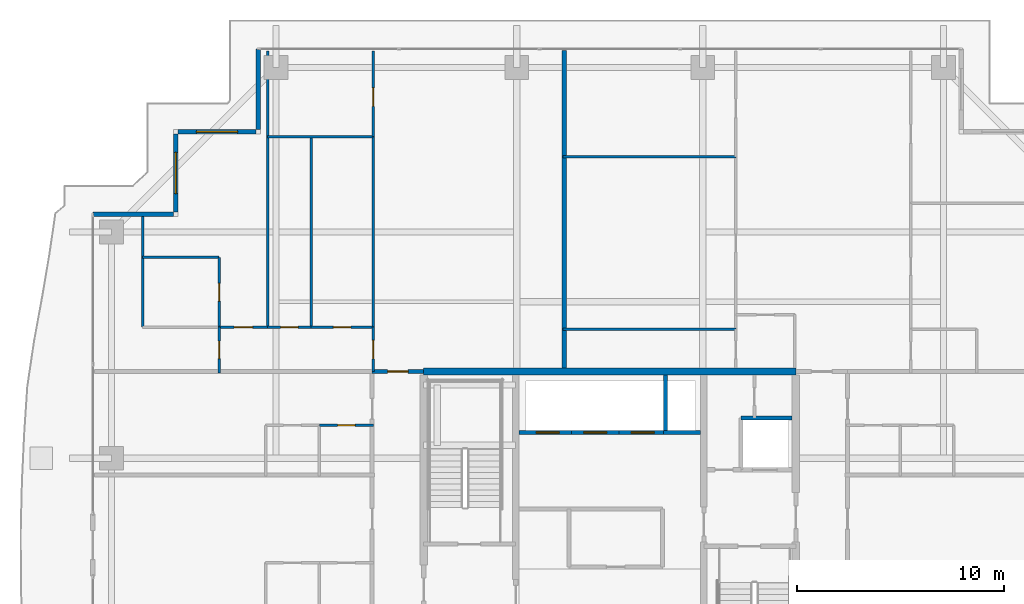
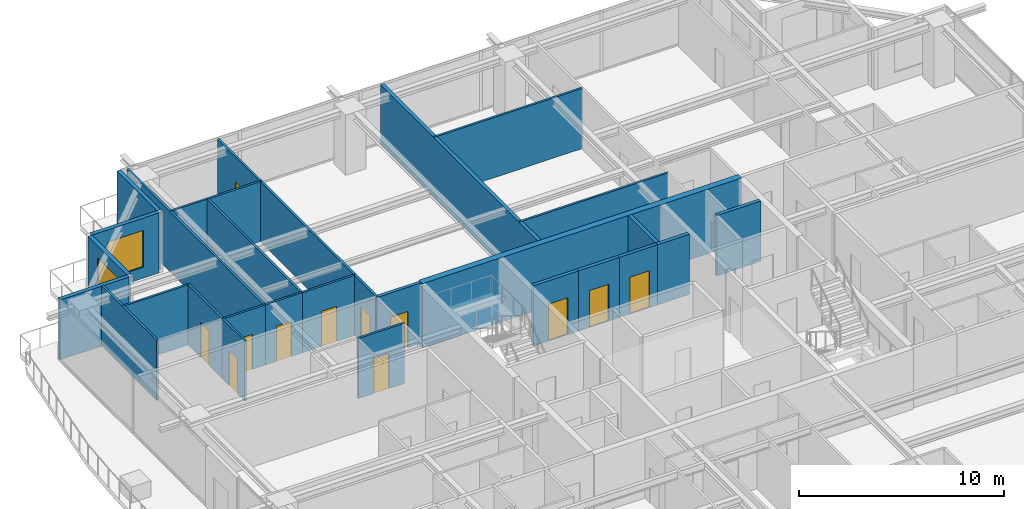
# One storey, part 28 of 36: 29 walls, 12 doors, 2 windows, 14 openings.
"""IFC4 building model written with IfcOpenShell, lengths in metres."""

from ifc_helpers import new_model, si_unit, direction, frame, frame_2d, origin, place, context, subcontext, project, spatial, rectangle, extrude, source, transform, mapped, material, layer, layer_set, type_object, element, fill, save


model = new_model("IFC4")

# Units and contexts
model_context = context("Model", 3, precision=1e-05, world=origin(), true_north=direction((0.0, 1.0)))
body_context = subcontext(model_context, "Body", "Model", "MODEL_VIEW")
ifc_project = project(units=[si_unit("LENGTHUNIT", "METRE"), si_unit("AREAUNIT", "SQUARE_METRE"), si_unit("VOLUMEUNIT", "CUBIC_METRE"), si_unit("PLANEANGLEUNIT", "RADIAN"), si_unit("MASSUNIT", "GRAM", prefix="KILO")], contexts=[model_context])

# Site, building, storey
site_placement = place(None, origin())
site = spatial("IfcSite", under=ifc_project, at=site_placement, CompositionType="ELEMENT")
building_placement = place(site_placement, origin())
building = spatial("IfcBuilding", under=site, at=building_placement, Name="Serunith Strait Residences", CompositionType="ELEMENT")
storey_placement = place(building_placement, frame((0.0, 0.0, 256.64990234375)))
storey = spatial("IfcBuildingStorey", under=building, at=storey_placement, Name="L64", CompositionType="ELEMENT", Elevation=256.64990234375)

# Wall
ifc_material_1 = material(Name="Pale-Champagne Aluminium Insulated Panel", Category="aluminium")
ifc_layer_1 = layer(ifc_material_1, 0.219970703125, Name="Pale-Champagne Aluminium Insulated Panel")
ifc_layer_set_1 = layer_set([ifc_layer_1], Name="Pale-Champagne Aluminium Insulated Panel")
wall_type_1 = type_object("IfcWallType", Name="EW-ALUM-220", PredefinedType="ELEMENTEDWALL", material=ifc_layer_set_1)
wall_1_placement = place(storey_placement, frame((15.39990234375, 49.199951171875, 0.0), z_axis=(0.0, 0.0, 1.0), x_axis=(0.0, -1.0, 0.0)))
element("IfcWall", 1, at=wall_1_placement, inside=storey, type_object=wall_type_1, Name="L64 Girih Serrated Corner Wall 12", PredefinedType="ELEMENTEDWALL", context=body_context, shape_type="SweptSolid", body=[
    extrude(rectangle(XDim=3.889892578125, YDim=0.219970703125, at=frame_2d((1.94482421875, 0.0))), origin(), (0.0, 0.0, 1.0), 3.5751953125),
])

# Wall, opening, window
wall_2_placement = place(storey_placement, frame((15.2900390625, 45.199951171875, 0.0), z_axis=(0.0, 0.0, 1.0), x_axis=(-1.0, 0.0, 0.0)))
wall_2 = element("IfcWall", 2, at=wall_2_placement, inside=storey, type_object=wall_type_1, Name="L64 Girih Serrated Corner Wall 13", PredefinedType="ELEMENTEDWALL", context=body_context, shape_type="SweptSolid", body=[
    extrude(rectangle(XDim=3.780029296875, YDim=0.219970703125, at=frame_2d((1.89013671875, 0.0))), origin(), (0.0, 0.0, 1.0), 3.5751953125),
])
opening_1_placement = place(wall_2_placement, frame((0.889892578125, 0.0, 0.64990234375)))
opening_1 = element("IfcOpeningElement", 3, at=opening_1_placement, cuts=wall_2, Name="Opening W-04", PredefinedType="OPENING", context=body_context, shape_type="SweptSolid", body=[
    extrude(rectangle(XDim=2.0, YDim=2.199951171875, at=frame_2d((1.0, 1.10009765625))), frame((0.0, 0.1201171875, 0.0), z_axis=(0.0, -1.0, 0.0), x_axis=(1.0, 0.0, 0.0)), (0.0, 0.0, 1.0), 0.239990234375),
])
ifc_material_2 = material(Name="Ceramic-Fritted Operable Aluminium Window Glass", Category="aluminium")
window_type = type_object("IfcWindowType", Name="WIN-C4", PartitioningType="TRIPLE_PANEL_VERTICAL", PredefinedType="WINDOW", material=ifc_material_2)
shared_shape_1 = source(origin(), body_context, "Body", "SweptSolid", [
    extrude(rectangle(XDim=2.0, YDim=2.199951171875, at=frame_2d((1.0, 1.10009765625))), frame((0.0, 0.030029296875, 0.0), z_axis=(0.0, -1.0, 0.0), x_axis=(1.0, 0.0, 0.0)), (0.0, 0.0, 1.0), 0.06005859375),
])
window_1_placement = place(opening_1_placement, origin())
window_1 = element("IfcWindow", 4, at=window_1_placement, inside=storey, type_object=window_type, Name="L64 Corner Operable Fritted Window 13", OverallHeight=2.199951171875, OverallWidth=2.0, PartitioningType="SINGLE_PANEL", PredefinedType="WINDOW", context=body_context, shape_type="MappedRepresentation", body=[
    mapped(shared_shape_1, transform((0.0, 0.0, 0.0), scale=1.0)),
])
fill(opening_1, window_1)

wall_3_placement = place(storey_placement, frame((11.39990234375, 45.090087890625, 0.0), z_axis=(0.0, 0.0, 1.0), x_axis=(0.0, -1.0, 0.0)))
wall_3 = element("IfcWall", 5, at=wall_3_placement, inside=storey, type_object=wall_type_1, Name="L64 Girih Serrated Corner Wall 14", PredefinedType="ELEMENTEDWALL", context=body_context, shape_type="SweptSolid", body=[
    extrude(rectangle(XDim=3.780029296875, YDim=0.219970703125, at=frame_2d((1.89013671875, 0.0))), origin(), (0.0, 0.0, 1.0), 3.5751953125),
])
opening_2_placement = place(wall_3_placement, frame((0.889892578125, 0.0, 0.64990234375)))
opening_2 = element("IfcOpeningElement", 6, at=opening_2_placement, cuts=wall_3, Name="Opening W-04", PredefinedType="OPENING", context=body_context, shape_type="SweptSolid", body=[
    extrude(rectangle(XDim=2.0, YDim=2.199951171875, at=frame_2d((1.0, 1.10009765625))), frame((0.0, 0.1201171875, 0.0), z_axis=(0.0, -1.0, 0.0), x_axis=(1.0, 0.0, 0.0)), (0.0, 0.0, 1.0), 0.239990234375),
])
window_2_placement = place(opening_2_placement, origin())
window_2 = element("IfcWindow", 7, at=window_2_placement, inside=storey, type_object=window_type, Name="L64 Corner Operable Fritted Window 14", OverallHeight=2.199951171875, OverallWidth=2.0, PartitioningType="SINGLE_PANEL", PredefinedType="WINDOW", context=body_context, shape_type="MappedRepresentation", body=[
    mapped(shared_shape_1, transform((0.0, 0.0, 0.0), scale=1.0)),
])
fill(opening_2, window_2)

# Wall
wall_4_placement = place(storey_placement, frame((11.2900390625, 41.199951171875, 0.0), z_axis=(0.0, 0.0, 1.0), x_axis=(-1.0, 0.0, 0.0)))
element("IfcWall", 8, at=wall_4_placement, inside=storey, type_object=wall_type_1, Name="L64 Girih Serrated Corner Wall 15", PredefinedType="ELEMENTEDWALL", context=body_context, shape_type="SweptSolid", body=[
    extrude(rectangle(XDim=3.89013671875, YDim=0.219970703125, at=frame_2d((1.945068359375, 0.0))), origin(), (0.0, 0.0, 1.0), 3.5751953125),
])

# Wall, opening, door
ifc_material_3 = material(Name="Fire-rated acoustic gypsum partition")
ifc_layer_2 = layer(ifc_material_3, 0.179931640625, Name="Fire-rated acoustic gypsum partition")
ifc_layer_set_2 = layer_set([ifc_layer_2], Name="Fire-rated acoustic gypsum partition")
wall_type_2 = type_object("IfcWallType", Name="IW-CORR-180", PredefinedType="PARTITIONING", material=ifc_layer_set_2)
wall_5_placement = place(storey_placement, frame((20.902099609375, 33.60009765625, 0.0), z_axis=(0.0, 0.0, 1.0), x_axis=(1.0, 0.0, 0.0)))
wall_5 = element("IfcWall", 9, at=wall_5_placement, inside=storey, type_object=wall_type_2, Name="L64 Partition Wall 030", PredefinedType="PARTITIONING", context=body_context, shape_type="SweptSolid", body=[
    extrude(rectangle(XDim=2.495849609375, YDim=0.179931640625, at=frame_2d((1.248046875, 0.0))), origin(), (0.0, 0.0, 1.0), 3.590087890625),
])
opening_3_placement = place(wall_5_placement, frame((0.748046875, 0.0, 0.0)))
opening_3 = element("IfcOpeningElement", 10, at=opening_3_placement, cuts=wall_5, Name="Opening D-APT1000", PredefinedType="OPENING", context=body_context, shape_type="SweptSolid", body=[
    extrude(rectangle(XDim=1.0, YDim=2.14990234375, at=frame_2d((0.5, 1.074951171875))), frame((0.0, 0.10009765625, 0.0), z_axis=(0.0, -1.0, 0.0), x_axis=(1.0, 0.0, 0.0)), (0.0, 0.0, 1.0), 0.199951171875),
])
ifc_material_4 = material(Name="Solid timber engineered fire door", Category="wood")
door_type_1 = type_object("IfcDoorType", Name="ID-APT-1000", OperationType="NOTDEFINED", PredefinedType="DOOR", material=ifc_material_4)
shared_shape_2 = source(origin(), body_context, "Body", "SweptSolid", [
    extrude(rectangle(XDim=1.0, YDim=2.14990234375, at=frame_2d((0.5, 1.074951171875))), frame((0.0, 0.02490234375, 0.0), z_axis=(0.0, -1.0, 0.0), x_axis=(1.0, 0.0, 0.0)), (0.0, 0.0, 1.0), 0.050048828125),
])
door_1_placement = place(opening_3_placement, origin())
door_1 = element("IfcDoor", 11, at=door_1_placement, inside=storey, type_object=door_type_1, Name="L64 Unit 02 Entrance Door", OperationType="SINGLE_SWING_LEFT", OverallHeight=2.14990234375, OverallWidth=1.0, PredefinedType="DOOR", context=body_context, shape_type="MappedRepresentation", body=[
    mapped(shared_shape_2, transform((0.0, 0.0, 0.0), scale=1.0)),
])
fill(opening_3, door_1)

ifc_material_5 = material(Name="Lightweight steel-stud gypsum partition", Category="steel")
ifc_layer_3 = layer(ifc_material_5, 0.1201171875, Name="Lightweight steel-stud gypsum partition")
ifc_layer_set_3 = layer_set([ifc_layer_3], Name="Lightweight steel-stud gypsum partition")
wall_type_3 = type_object("IfcWallType", Name="IW-PART-120", PredefinedType="PARTITIONING", material=ifc_layer_set_3)
wall_6_placement = place(storey_placement, frame((20.949951171875, 35.75, 0.0), z_axis=(0.0, 0.0, 1.0), x_axis=(0.0, -1.0, 0.0)))
wall_6 = element("IfcWall", 12, at=wall_6_placement, inside=storey, type_object=wall_type_3, Name="L64 Partition Wall 058", PredefinedType="PARTITIONING", context=body_context, shape_type="SweptSolid", body=[
    extrude(rectangle(XDim=2.14794921875, YDim=0.1201171875, at=frame_2d((1.073974609375, 0.0))), origin(), (0.0, 0.0, 1.0), 3.590087890625),
])
opening_4_placement = place(wall_6_placement, frame((0.64208984375, 0.0, 0.0)))
opening_4 = element("IfcOpeningElement", 13, at=opening_4_placement, cuts=wall_6, Name="Opening D-RM900", PredefinedType="OPENING", context=body_context, shape_type="SweptSolid", body=[
    extrude(rectangle(XDim=0.89990234375, YDim=2.10009765625, at=frame_2d((0.449951171875, 1.050048828125))), frame((0.0, 0.070068359375, 0.0), z_axis=(0.0, -1.0, 0.0), x_axis=(1.0, 0.0, 0.0)), (0.0, 0.0, 1.0), 0.14013671875),
])
ifc_material_6 = material(Name="Engineered timber flush bedroom door", Category="wood")
door_type_2 = type_object("IfcDoorType", Name="ID-ROOM-900", OperationType="NOTDEFINED", PredefinedType="DOOR", material=ifc_material_6)
shared_shape_3 = source(origin(), body_context, "Body", "SweptSolid", [
    extrude(rectangle(XDim=0.89990234375, YDim=2.10009765625, at=frame_2d((0.449951171875, 1.050048828125))), frame((0.0, 0.02490234375, 0.0), z_axis=(0.0, -1.0, 0.0), x_axis=(1.0, 0.0, 0.0)), (0.0, 0.0, 1.0), 0.050048828125),
])
door_2_placement = place(opening_4_placement, origin())
door_2 = element("IfcDoor", 14, at=door_2_placement, inside=storey, type_object=door_type_2, Name="L64 Hall W 6402 Door", OperationType="SINGLE_SWING_RIGHT", OverallHeight=2.10009765625, OverallWidth=0.89990234375, PredefinedType="DOOR", context=body_context, shape_type="MappedRepresentation", body=[
    mapped(shared_shape_3, transform((0.0, 0.0, 0.0), scale=1.0)),
])
fill(opening_4, door_2)

wall_7_placement = place(storey_placement, frame((20.949951171875, 49.10498046875, 0.0), z_axis=(0.0, 0.0, 1.0), x_axis=(0.0, -1.0, 0.0)))
wall_7 = element("IfcWall", 15, at=wall_7_placement, inside=storey, type_object=wall_type_3, Name="L64 Partition Wall 059", PredefinedType="PARTITIONING", context=body_context, shape_type="SweptSolid", body=[
    extrude(rectangle(XDim=4.140869140625, YDim=0.1201171875, at=frame_2d((2.0703125, 0.0))), origin(), (0.0, 0.0, 1.0), 3.590087890625),
])
opening_5_placement = place(wall_7_placement, frame((1.782958984375, 0.0, 0.0)))
opening_5 = element("IfcOpeningElement", 16, at=opening_5_placement, cuts=wall_7, Name="Opening D-RM900", PredefinedType="OPENING", context=body_context, shape_type="SweptSolid", body=[
    extrude(rectangle(XDim=0.89990234375, YDim=2.10009765625, at=frame_2d((0.449951171875, 1.050048828125))), frame((0.0, 0.070068359375, 0.0), z_axis=(0.0, -1.0, 0.0), x_axis=(1.0, 0.0, 0.0)), (0.0, 0.0, 1.0), 0.14013671875),
])
door_3_placement = place(opening_5_placement, origin())
door_3 = element("IfcDoor", 17, at=door_3_placement, inside=storey, type_object=door_type_2, Name="L64 Study 1 6402 Door", OperationType="SINGLE_SWING_LEFT", OverallHeight=2.10009765625, OverallWidth=0.89990234375, PredefinedType="DOOR", context=body_context, shape_type="MappedRepresentation", body=[
    mapped(shared_shape_3, transform((0.0, 0.0, 0.0), scale=1.0)),
])
fill(opening_5, door_3)

# Walls
wall_8_placement = place(storey_placement, frame((20.949951171875, 44.9619140625, 0.0), z_axis=(0.0, 0.0, 1.0), x_axis=(0.0, -1.0, 0.0)))
element("IfcWall", 18, at=wall_8_placement, inside=storey, type_object=wall_type_3, Name="L64 Partition Wall 060", PredefinedType="PARTITIONING", context=body_context, shape_type="SweptSolid", body=[
    extrude(rectangle(XDim=9.2099609375, YDim=0.1201171875, at=frame_2d((4.60498046875, 0.0))), origin(), (0.0, 0.0, 1.0), 3.590087890625),
])
wall_9_placement = place(storey_placement, frame((15.85009765625, 44.964111328125, 0.0), z_axis=(0.0, 0.0, 1.0), x_axis=(1.0, 0.0, 0.0)))
element("IfcWall", 19, at=wall_9_placement, inside=storey, type_object=wall_type_3, Name="L64 Partition Wall 061", PredefinedType="PARTITIONING", context=body_context, shape_type="SweptSolid", body=[
    extrude(rectangle(XDim=5.099853515625, YDim=0.1201171875, at=frame_2d((2.5498046875, 0.0))), origin(), (0.0, 0.0, 1.0), 3.590087890625),
])
wall_10_placement = place(storey_placement, frame((15.85009765625, 49.10498046875, 0.0), z_axis=(0.0, 0.0, 1.0), x_axis=(0.0, -1.0, 0.0)))
element("IfcWall", 20, at=wall_10_placement, inside=storey, type_object=wall_type_3, Name="L64 Partition Wall 062", PredefinedType="PARTITIONING", context=body_context, shape_type="SweptSolid", body=[
    extrude(rectangle(XDim=13.35498046875, YDim=0.1201171875, at=frame_2d((6.677490234375, 0.0))), origin(), (0.0, 0.0, 1.0), 3.590087890625),
])
wall_11_placement = place(storey_placement, frame((17.949951171875, 44.964111328125, 0.0), z_axis=(0.0, 0.0, 1.0), x_axis=(0.0, -1.0, 0.0)))
element("IfcWall", 21, at=wall_11_placement, inside=storey, type_object=wall_type_3, Name="L64 Partition Wall 063", PredefinedType="PARTITIONING", context=body_context, shape_type="SweptSolid", body=[
    extrude(rectangle(XDim=9.214111328125, YDim=0.1201171875, at=frame_2d((4.60693359375, 0.0))), origin(), (0.0, 0.0, 1.0), 3.590087890625),
])

# Wall, opening, door
wall_12_placement = place(storey_placement, frame((15.85009765625, 35.75, 0.0), z_axis=(0.0, 0.0, 1.0), x_axis=(1.0, 0.0, 0.0)))
wall_12 = element("IfcWall", 22, at=wall_12_placement, inside=storey, type_object=wall_type_3, Name="L64 Partition Wall 064", PredefinedType="PARTITIONING", context=body_context, shape_type="SweptSolid", body=[
    extrude(rectangle(XDim=2.099853515625, YDim=0.1201171875, at=frame_2d((1.0498046875, 0.0))), origin(), (0.0, 0.0, 1.0), 3.590087890625),
])
opening_6_placement = place(wall_12_placement, frame((0.625, 0.0, 0.0)))
opening_6 = element("IfcOpeningElement", 23, at=opening_6_placement, cuts=wall_12, Name="Opening D-BTH850", PredefinedType="OPENING", context=body_context, shape_type="SweptSolid", body=[
    extrude(rectangle(XDim=0.85009765625, YDim=2.10009765625, at=frame_2d((0.425048828125, 1.050048828125))), frame((0.0, 0.070068359375, 0.0), z_axis=(0.0, -1.0, 0.0), x_axis=(1.0, 0.0, 0.0)), (0.0, 0.0, 1.0), 0.14013671875),
])
ifc_material_7 = material(Name="Moisture-resistant timber bathroom door", Category="wood")
door_type_3 = type_object("IfcDoorType", Name="ID-BATH-850", OperationType="NOTDEFINED", PredefinedType="DOOR", material=ifc_material_7)
shared_shape_4 = source(origin(), body_context, "Body", "SweptSolid", [
    extrude(rectangle(XDim=0.85009765625, YDim=2.10009765625, at=frame_2d((0.425048828125, 1.050048828125))), frame((0.0, 0.02490234375, 0.0), z_axis=(0.0, -1.0, 0.0), x_axis=(1.0, 0.0, 0.0)), (0.0, 0.0, 1.0), 0.050048828125),
])
door_4_placement = place(opening_6_placement, origin())
door_4 = element("IfcDoor", 24, at=door_4_placement, inside=storey, type_object=door_type_3, Name="L64 Bathroom 6402 Door", OperationType="SINGLE_SWING_RIGHT", OverallHeight=2.10009765625, OverallWidth=0.85009765625, PredefinedType="DOOR", context=body_context, shape_type="MappedRepresentation", body=[
    mapped(shared_shape_4, transform((0.0, 0.0, 0.0), scale=1.0)),
])
fill(opening_6, door_4)

wall_13_placement = place(storey_placement, frame((17.951904296875, 35.75, 0.0), z_axis=(0.0, 0.0, 1.0), x_axis=(1.0, 0.0, 0.0)))
wall_13 = element("IfcWall", 25, at=wall_13_placement, inside=storey, type_object=wall_type_3, Name="L64 Partition Wall 065", PredefinedType="PARTITIONING", context=body_context, shape_type="SweptSolid", body=[
    extrude(rectangle(XDim=2.998046875, YDim=0.1201171875, at=frame_2d((1.4990234375, 0.0))), origin(), (0.0, 0.0, 1.0), 3.590087890625),
])
opening_7_placement = place(wall_13_placement, frame((1.073974609375, 0.0, 0.0)))
opening_7 = element("IfcOpeningElement", 26, at=opening_7_placement, cuts=wall_13, Name="Opening D-RM850", PredefinedType="OPENING", context=body_context, shape_type="SweptSolid", body=[
    extrude(rectangle(XDim=0.85009765625, YDim=2.10009765625, at=frame_2d((0.425048828125, 1.050048828125))), frame((0.0, 0.070068359375, 0.0), z_axis=(0.0, -1.0, 0.0), x_axis=(1.0, 0.0, 0.0)), (0.0, 0.0, 1.0), 0.14013671875),
])
ifc_material_8 = material(Name="Engineered timber flush study and kitchen door", Category="wood")
door_type_4 = type_object("IfcDoorType", Name="ID-ROOM-850", OperationType="NOTDEFINED", PredefinedType="DOOR", material=ifc_material_8)
door_5_placement = place(opening_7_placement, origin())
door_5 = element("IfcDoor", 27, at=door_5_placement, inside=storey, type_object=door_type_4, Name="L64 Kitchen 6402 Door", OperationType="SINGLE_SWING_LEFT", OverallHeight=2.10009765625, OverallWidth=0.85009765625, PredefinedType="DOOR", context=body_context, shape_type="MappedRepresentation", body=[
    mapped(shared_shape_4, transform((0.0, 0.0, 0.0), scale=1.0)),
])
fill(opening_7, door_5)

wall_14_placement = place(storey_placement, frame((13.5, 35.75, 0.0), z_axis=(0.0, 0.0, 1.0), x_axis=(1.0, 0.0, 0.0)))
wall_14 = element("IfcWall", 28, at=wall_14_placement, inside=storey, type_object=wall_type_3, Name="L64 Partition Wall 066", PredefinedType="PARTITIONING", context=body_context, shape_type="SweptSolid", body=[
    extrude(rectangle(XDim=2.347900390625, YDim=0.1201171875, at=frame_2d((1.173828125, 0.0))), origin(), (0.0, 0.0, 1.0), 3.590087890625),
])
opening_8_placement = place(wall_14_placement, frame((0.72412109375, 0.0, 0.0)))
opening_8 = element("IfcOpeningElement", 29, at=opening_8_placement, cuts=wall_14, Name="Opening D-RM900", PredefinedType="OPENING", context=body_context, shape_type="SweptSolid", body=[
    extrude(rectangle(XDim=0.89990234375, YDim=2.10009765625, at=frame_2d((0.449951171875, 1.050048828125))), frame((0.0, 0.070068359375, 0.0), z_axis=(0.0, -1.0, 0.0), x_axis=(1.0, 0.0, 0.0)), (0.0, 0.0, 1.0), 0.14013671875),
])
door_6_placement = place(opening_8_placement, origin())
door_6 = element("IfcDoor", 30, at=door_6_placement, inside=storey, type_object=door_type_2, Name="L64 Master Bedroom W 6402 Door", OperationType="SINGLE_SWING_RIGHT", OverallHeight=2.10009765625, OverallWidth=0.89990234375, PredefinedType="DOOR", context=body_context, shape_type="MappedRepresentation", body=[
    mapped(shared_shape_3, transform((0.0, 0.0, 0.0), scale=1.0)),
])
fill(opening_8, door_6)

# Walls
wall_15_placement = place(storey_placement, frame((9.800048828125, 39.115966796875, 0.0), z_axis=(0.0, 0.0, 1.0), x_axis=(1.0, 0.0, 0.0)))
element("IfcWall", 31, at=wall_15_placement, inside=storey, type_object=wall_type_3, Name="L64 Partition Wall 067", PredefinedType="PARTITIONING", context=body_context, shape_type="SweptSolid", body=[
    extrude(rectangle(XDim=3.699951171875, YDim=0.1201171875, at=frame_2d((1.85009765625, 0.0))), origin(), (0.0, 0.0, 1.0), 3.590087890625),
])
wall_16_placement = place(storey_placement, frame((9.800048828125, 41.10498046875, 0.0), z_axis=(0.0, 0.0, 1.0), x_axis=(0.0, -1.0, 0.0)))
element("IfcWall", 32, at=wall_16_placement, inside=storey, type_object=wall_type_3, Name="L64 Partition Wall 068", PredefinedType="PARTITIONING", context=body_context, shape_type="SweptSolid", body=[
    extrude(rectangle(XDim=5.35498046875, YDim=0.1201171875, at=frame_2d((2.677490234375, 0.0))), origin(), (0.0, 0.0, 1.0), 3.590087890625),
])

# Wall, opening, door
wall_17_placement = place(storey_placement, frame((13.5, 39.115966796875, 0.0), z_axis=(0.0, 0.0, 1.0), x_axis=(0.0, -1.0, 0.0)))
wall_17 = element("IfcWall", 33, at=wall_17_placement, inside=storey, type_object=wall_type_3, Name="L64 Partition Wall 070", PredefinedType="PARTITIONING", context=body_context, shape_type="SweptSolid", body=[
    extrude(rectangle(XDim=3.365966796875, YDim=0.1201171875, at=frame_2d((1.68310546875, 0.0))), origin(), (0.0, 0.0, 1.0), 3.590087890625),
])
opening_9_placement = place(wall_17_placement, frame((1.258056640625, 0.0, 0.0)))
opening_9 = element("IfcOpeningElement", 34, at=opening_9_placement, cuts=wall_17, Name="Opening D-BTH850", PredefinedType="OPENING", context=body_context, shape_type="SweptSolid", body=[
    extrude(rectangle(XDim=0.85009765625, YDim=2.10009765625, at=frame_2d((0.425048828125, 1.050048828125))), frame((0.0, 0.070068359375, 0.0), z_axis=(0.0, -1.0, 0.0), x_axis=(1.0, 0.0, 0.0)), (0.0, 0.0, 1.0), 0.14013671875),
])
door_7_placement = place(opening_9_placement, origin())
door_7 = element("IfcDoor", 35, at=door_7_placement, inside=storey, type_object=door_type_3, Name="L64 En-suite Bathroom W 6402 Door", OperationType="SINGLE_SWING_LEFT", OverallHeight=2.10009765625, OverallWidth=0.85009765625, PredefinedType="DOOR", context=body_context, shape_type="MappedRepresentation", body=[
    mapped(shared_shape_4, transform((0.0, 0.0, 0.0), scale=1.0)),
])
fill(opening_9, door_7)

wall_18_placement = place(storey_placement, frame((13.5, 35.748046875, 0.0), z_axis=(0.0, 0.0, 1.0), x_axis=(0.0, -1.0, 0.0)))
wall_18 = element("IfcWall", 36, at=wall_18_placement, inside=storey, type_object=wall_type_3, Name="L64 Partition Wall 071", PredefinedType="PARTITIONING", context=body_context, shape_type="SweptSolid", body=[
    extrude(rectangle(XDim=2.2080078125, YDim=0.1201171875, at=frame_2d((1.10400390625, 0.0))), origin(), (0.0, 0.0, 1.0), 3.590087890625),
])
opening_10_placement = place(wall_18_placement, frame((0.678955078125, 0.0, 0.0)))
opening_10 = element("IfcOpeningElement", 37, at=opening_10_placement, cuts=wall_18, Name="Opening D-RM850", PredefinedType="OPENING", context=body_context, shape_type="SweptSolid", body=[
    extrude(rectangle(XDim=0.85009765625, YDim=2.10009765625, at=frame_2d((0.425048828125, 1.050048828125))), frame((0.0, 0.070068359375, 0.0), z_axis=(0.0, -1.0, 0.0), x_axis=(1.0, 0.0, 0.0)), (0.0, 0.0, 1.0), 0.14013671875),
])
door_8_placement = place(opening_10_placement, origin())
door_8 = element("IfcDoor", 38, at=door_8_placement, inside=storey, type_object=door_type_4, Name="L64 Wardrobe W 6402 Door", OperationType="SINGLE_SWING_RIGHT", OverallHeight=2.10009765625, OverallWidth=0.85009765625, PredefinedType="DOOR", context=body_context, shape_type="MappedRepresentation", body=[
    mapped(shared_shape_4, transform((0.0, 0.0, 0.0), scale=1.0)),
])
fill(opening_10, door_8)

# Walls
for number, where, z_axis, x_axis, name in (
    (39, (30.139892578125, 43.98193359375, 0.0), (0.0, 0.0, 1.0), (1.0, 0.0, 0.0), "L64 Partition Wall 075"),
    (40, (30.139892578125, 35.64990234375, 0.0), (0.0, 0.0, 1.0), (1.0, 0.0, 0.0), "L64 Partition Wall 076"),
):
    element("IfcWall", number, at=place(storey_placement, frame(where, z_axis=z_axis, x_axis=x_axis)), inside=storey, type_object=wall_type_3, Name=name, PredefinedType="PARTITIONING", context=body_context, shape_type="SweptSolid", body=[
        extrude(rectangle(XDim=8.360107421875, YDim=0.1201171875, at=frame_2d((4.18017578125, 0.0))), origin(), (0.0, 0.0, 1.0), 3.590087890625),
    ])

# Wall, opening, door
wall_19_placement = place(storey_placement, frame((18.35205078125, 31.0, 0.0), z_axis=(0.0, 0.0, 1.0), x_axis=(1.0, 0.0, 0.0)))
wall_19 = element("IfcWall", 41, at=wall_19_placement, inside=storey, type_object=wall_type_3, Name="L64 Partition Wall 094", PredefinedType="PARTITIONING", context=body_context, shape_type="SweptSolid", body=[
    extrude(rectangle(XDim=2.60791015625, YDim=0.1201171875, at=frame_2d((1.303955078125, 0.0))), origin(), (0.0, 0.0, 1.0), 3.590087890625),
])
opening_11_placement = place(wall_19_placement, frame((0.87890625, 0.0, 0.0)))
opening_11 = element("IfcOpeningElement", 42, at=opening_11_placement, cuts=wall_19, Name="Opening D-BTH850", PredefinedType="OPENING", context=body_context, shape_type="SweptSolid", body=[
    extrude(rectangle(XDim=0.85009765625, YDim=2.10009765625, at=frame_2d((0.425048828125, 1.050048828125))), frame((0.0, 0.070068359375, 0.0), z_axis=(0.0, -1.0, 0.0), x_axis=(1.0, 0.0, 0.0)), (0.0, 0.0, 1.0), 0.14013671875),
])
door_9_placement = place(opening_11_placement, origin())
door_9 = element("IfcDoor", 43, at=door_9_placement, inside=storey, type_object=door_type_3, Name="L64 Bathroom 6406 Door", OperationType="SINGLE_SWING_LEFT", OverallHeight=2.10009765625, OverallWidth=0.85009765625, PredefinedType="DOOR", context=body_context, shape_type="MappedRepresentation", body=[
    mapped(shared_shape_4, transform((0.0, 0.0, 0.0), scale=1.0)),
])
fill(opening_11, door_9)

# Wall
ifc_material_9 = material(Name="Twin-stud acoustic gypsum board partition")
ifc_layer_4 = layer(ifc_material_9, 0.199951171875, Name="Twin-stud acoustic gypsum board partition")
ifc_layer_set_4 = layer_set([ifc_layer_4], Name="Twin-stud acoustic gypsum board partition")
wall_type_4 = type_object("IfcWallType", Name="IW-PARTY-200", PredefinedType="PARTITIONING", material=ifc_layer_set_4)
wall_20_placement = place(storey_placement, frame((30.199951171875, 33.77490234375, 0.0), z_axis=(0.0, 0.0, 1.0), x_axis=(0.0, 1.0, 0.0)))
element("IfcWall", 44, at=wall_20_placement, inside=storey, type_object=wall_type_4, Name="L64 Partition Wall 020", PredefinedType="PARTITIONING", context=body_context, shape_type="SweptSolid", body=[
    extrude(rectangle(XDim=15.343017578125, YDim=0.199951171875, at=frame_2d((7.67138671875, 0.0))), origin(), (0.0, 0.0, 1.0), 3.590087890625),
])

# Wall, opening, door
ifc_material_10 = material(Name="Autoclaved aerated concrete blockwork", Category="masonry")
ifc_layer_5 = layer(ifc_material_10, 0.199951171875, Name="Autoclaved aerated concrete blockwork")
ifc_layer_set_5 = layer_set([ifc_layer_5], Name="Autoclaved aerated concrete blockwork")
wall_type_5 = type_object("IfcWallType", Name="IW-SHAFT-200", PredefinedType="STANDARD", material=ifc_layer_set_5)
wall_21_placement = place(storey_placement, frame((28.0, 30.64990234375, 0.0), z_axis=(0.0, 0.0, 1.0), x_axis=(1.0, 0.0, 0.0)))
wall_21 = element("IfcWall", 45, at=wall_21_placement, inside=storey, type_object=wall_type_5, Name="L64 PL-7 South Shaft Wall", PredefinedType="STANDARD", context=body_context, shape_type="SweptSolid", body=[
    extrude(rectangle(XDim=2.550048828125, YDim=0.199951171875, at=frame_2d((1.27490234375, 0.0))), origin(), (0.0, 0.0, 1.0), 3.590087890625),
])
opening_12_placement = place(wall_21_placement, frame((0.85009765625, 0.0, 0.0)))
opening_12 = element("IfcOpeningElement", 46, at=opening_12_placement, cuts=wall_21, Name="Opening LD-1100", PredefinedType="OPENING", context=body_context, shape_type="SweptSolid", body=[
    extrude(rectangle(XDim=1.10009765625, YDim=2.199951171875, at=frame_2d((0.550048828125, 1.10009765625))), frame((0.0, 0.10986328125, 0.0), z_axis=(0.0, -1.0, 0.0), x_axis=(1.0, 0.0, 0.0)), (0.0, 0.0, 1.0), 0.219970703125),
])
ifc_material_11 = material(Name="Pale-champagne stainless landing door")
door_type_5 = type_object("IfcDoorType", Name="LD-LIFT-1100", OperationType="DOUBLE_DOOR_SLIDING", PredefinedType="DOOR", material=ifc_material_11)
shared_shape_5 = source(origin(), body_context, "Body", "SweptSolid", [
    extrude(rectangle(XDim=1.10009765625, YDim=2.199951171875, at=frame_2d((0.550048828125, 1.10009765625))), frame((0.0, 0.02490234375, 0.0), z_axis=(0.0, -1.0, 0.0), x_axis=(1.0, 0.0, 0.0)), (0.0, 0.0, 1.0), 0.050048828125),
])
door_10_placement = place(opening_12_placement, origin())
door_10 = element("IfcDoor", 47, at=door_10_placement, inside=storey, type_object=door_type_5, Name="L64 PL-7 Landing Door", OperationType="DOUBLE_DOOR_SLIDING", OverallHeight=2.199951171875, OverallWidth=1.10009765625, PredefinedType="DOOR", context=body_context, shape_type="MappedRepresentation", body=[
    mapped(shared_shape_5, transform((0.0, 0.0, 0.0), scale=1.0)),
])
fill(opening_12, door_10)

wall_22_placement = place(storey_placement, frame((30.550048828125, 30.64990234375, 0.0), z_axis=(0.0, 0.0, 1.0), x_axis=(1.0, 0.0, 0.0)))
wall_22 = element("IfcWall", 48, at=wall_22_placement, inside=storey, type_object=wall_type_5, Name="L64 PL-8 South Shaft Wall", PredefinedType="STANDARD", context=body_context, shape_type="SweptSolid", body=[
    extrude(rectangle(XDim=2.300048828125, YDim=0.199951171875, at=frame_2d((1.14990234375, 0.0))), origin(), (0.0, 0.0, 1.0), 3.590087890625),
])
opening_13_placement = place(wall_22_placement, frame((0.60009765625, 0.0, 0.0)))
opening_13 = element("IfcOpeningElement", 49, at=opening_13_placement, cuts=wall_22, Name="Opening LD-1100", PredefinedType="OPENING", context=body_context, shape_type="SweptSolid", body=[
    extrude(rectangle(XDim=1.10009765625, YDim=2.199951171875, at=frame_2d((0.550048828125, 1.10009765625))), frame((0.0, 0.10986328125, 0.0), z_axis=(0.0, -1.0, 0.0), x_axis=(1.0, 0.0, 0.0)), (0.0, 0.0, 1.0), 0.219970703125),
])
door_11_placement = place(opening_13_placement, origin())
door_11 = element("IfcDoor", 50, at=door_11_placement, inside=storey, type_object=door_type_5, Name="L64 PL-8 Landing Door", OperationType="DOUBLE_DOOR_SLIDING", OverallHeight=2.199951171875, OverallWidth=1.10009765625, PredefinedType="DOOR", context=body_context, shape_type="MappedRepresentation", body=[
    mapped(shared_shape_5, transform((0.0, 0.0, 0.0), scale=1.0)),
])
fill(opening_13, door_11)

wall_23_placement = place(storey_placement, frame((32.85009765625, 30.64990234375, 0.0), z_axis=(0.0, 0.0, 1.0), x_axis=(1.0, 0.0, 0.0)))
wall_23 = element("IfcWall", 51, at=wall_23_placement, inside=storey, type_object=wall_type_5, Name="L64 PL-9 South Shaft Wall", PredefinedType="STANDARD", context=body_context, shape_type="SweptSolid", body=[
    extrude(rectangle(XDim=2.14990234375, YDim=0.199951171875, at=frame_2d((1.074951171875, 0.0))), origin(), (0.0, 0.0, 1.0), 3.590087890625),
])
opening_14_placement = place(wall_23_placement, frame((0.60009765625, 0.0, 0.0)))
opening_14 = element("IfcOpeningElement", 52, at=opening_14_placement, cuts=wall_23, Name="Opening LD-1100", PredefinedType="OPENING", context=body_context, shape_type="SweptSolid", body=[
    extrude(rectangle(XDim=1.10009765625, YDim=2.199951171875, at=frame_2d((0.550048828125, 1.10009765625))), frame((0.0, 0.10986328125, 0.0), z_axis=(0.0, -1.0, 0.0), x_axis=(1.0, 0.0, 0.0)), (0.0, 0.0, 1.0), 0.219970703125),
])
door_12_placement = place(opening_14_placement, origin())
door_12 = element("IfcDoor", 53, at=door_12_placement, inside=storey, type_object=door_type_5, Name="L64 PL-9 Landing Door", OperationType="DOUBLE_DOOR_SLIDING", OverallHeight=2.199951171875, OverallWidth=1.10009765625, PredefinedType="DOOR", context=body_context, shape_type="MappedRepresentation", body=[
    mapped(shared_shape_5, transform((0.0, 0.0, 0.0), scale=1.0)),
])
fill(opening_14, door_12)

# Walls
wall_24_placement = place(storey_placement, frame((35.0, 30.64990234375, 0.0), z_axis=(0.0, 0.0, 1.0), x_axis=(1.0, 0.0, 0.0)))
element("IfcWall", 54, at=wall_24_placement, inside=storey, type_object=wall_type_5, Name="L64 SL-1 South Shaft Wall", PredefinedType="STANDARD", context=body_context, shape_type="SweptSolid", body=[
    extrude(rectangle(XDim=1.800048828125, YDim=0.199951171875, at=frame_2d((0.89990234375, 0.0))), origin(), (0.0, 0.0, 1.0), 3.590087890625),
])
wall_25_placement = place(storey_placement, frame((35.10009765625, 30.75, 0.0), z_axis=(0.0, 0.0, 1.0), x_axis=(0.0, 1.0, 0.0)))
element("IfcWall", 55, at=wall_25_placement, inside=storey, type_object=wall_type_5, Name="L64 SL-1 West Shaft Wall", PredefinedType="STANDARD", context=body_context, shape_type="SweptSolid", body=[
    extrude(rectangle(XDim=2.675048828125, YDim=0.199951171875, at=frame_2d((1.33740234375, 0.0))), origin(), (0.0, 0.0, 1.0), 3.590087890625),
])
wall_26_placement = place(storey_placement, frame((38.75, 31.35009765625, 0.0), z_axis=(0.0, 0.0, 1.0), x_axis=(1.0, 0.0, 0.0)))
element("IfcWall", 56, at=wall_26_placement, inside=storey, type_object=wall_type_5, Name="L64 Partition Wall 005", PredefinedType="STANDARD", context=body_context, shape_type="SweptSolid", body=[
    extrude(rectangle(XDim=2.47509765625, YDim=0.199951171875, at=frame_2d((1.237548828125, 0.0))), origin(), (0.0, 0.0, 1.0), 3.590087890625),
])
ifc_material_12 = material(Name="Concrete C60/75", Category="concrete")
ifc_layer_6 = layer(ifc_material_12, 0.35009765625, Name="Concrete C60/75")
ifc_layer_set_6 = layer_set([ifc_layer_6], Name="Concrete C60/75")
wall_type_6 = type_object("IfcWallType", Name="SW-350-C60", PredefinedType="SHEAR", material=ifc_layer_set_6)
wall_27_placement = place(storey_placement, frame((41.39990234375, 33.60009765625, -0.260009765625), z_axis=(0.0, 0.0, 1.0), x_axis=(-1.0, 0.0, 0.0)))
element("IfcWall", 57, at=wall_27_placement, inside=storey, type_object=wall_type_6, Name="L64 Core North Shear Wall", PredefinedType="SHEAR", context=body_context, shape_type="SweptSolid", body=[
    extrude(rectangle(XDim=18.0, YDim=0.35009765625, at=frame_2d((9.0, 0.0))), origin(), (0.0, 0.0, 1.0), 3.84814453125),
])

save(model, "model.ifc")
